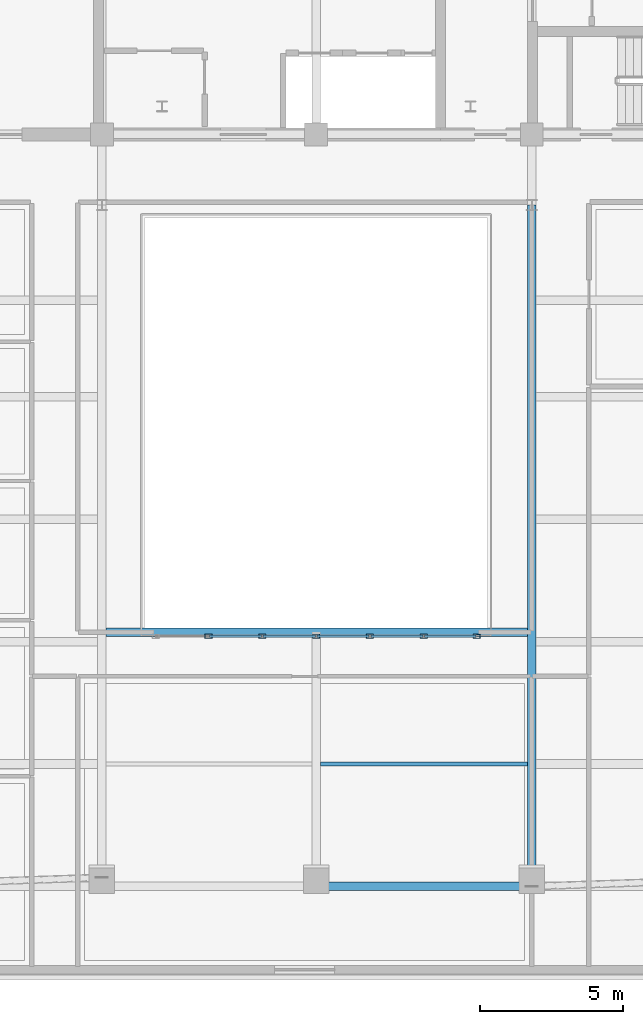
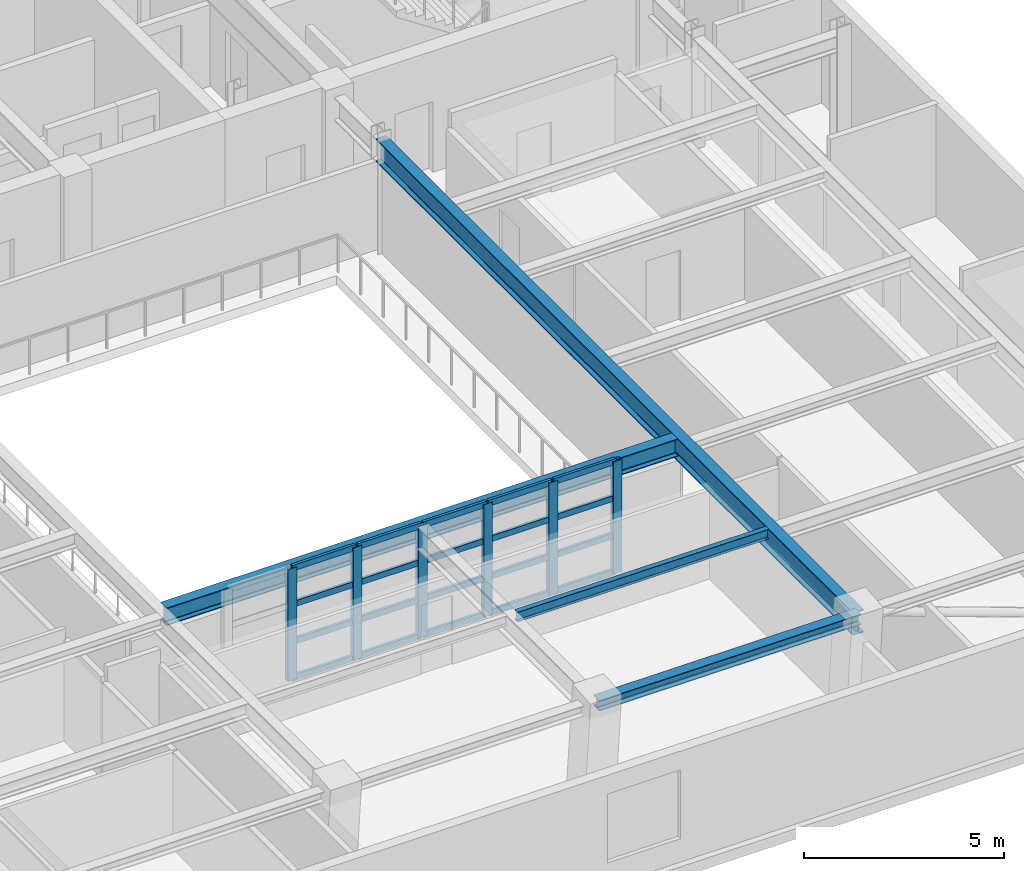
# One storey, part 3 of 12: 26 members, 4 beams, 1 element without a shape of its own.
"""IFC4 building model written with IfcOpenShell, lengths in metres."""

from ifc_helpers import new_model, si_unit, direction, frame, origin, origin_2d, place, context, subcontext, project, spatial, hollow_rectangle, i_section, extrude, material, layer, layer_set, material_profile, profile_set, type_object, element, aggregate, save


model = new_model("IFC4")

# Units and contexts
model_context = context("Model", 3, precision=1e-05, world=origin(), true_north=direction((0.0, 1.0)))
body_context = subcontext(model_context, "Body", "Model", "MODEL_VIEW")
ifc_project = project(units=[si_unit("LENGTHUNIT", "METRE"), si_unit("AREAUNIT", "SQUARE_METRE"), si_unit("VOLUMEUNIT", "CUBIC_METRE"), si_unit("PLANEANGLEUNIT", "RADIAN"), si_unit("MASSUNIT", "GRAM", prefix="KILO")], contexts=[model_context])

# Site, building, storey
site_placement = place(None, origin())
site = spatial("IfcSite", under=ifc_project, at=site_placement, CompositionType="ELEMENT")
building_placement = place(site_placement, origin())
building = spatial("IfcBuilding", under=site, at=building_placement, Name="Zarnavel Station Tower", CompositionType="ELEMENT")
storey_placement = place(building_placement, frame((0.0, 0.0, 269.5)))
storey = spatial("IfcBuildingStorey", under=building, at=storey_placement, Name="L73", CompositionType="ELEMENT", Elevation=269.5)

# Curtain wall, members
ifc_material_1 = material(Name="Aluminium Dark Anodised and Solar-Control Glass", Category="aluminium")
ifc_layer = layer(ifc_material_1, 0.179931640625)
ifc_layer_set = layer_set([ifc_layer], Name="CWS6")
curtain_wall_type = type_object("IfcCurtainWallType", Name="CWS6", PredefinedType="NOTDEFINED", material=ifc_layer_set)
curtain_wall_placement = place(storey_placement, origin())
curtain_wall = element("IfcCurtainWall", 1, at=curtain_wall_placement, inside=storey, type_object=curtain_wall_type, Name="L73 Curtain Wall CWS6-L73-AS", PredefinedType="NOTDEFINED")
ifc_material_2 = material(Name="Steel S355J2 (Black Fluoropolymer Coated)", Category="steel")
ifc_material_profile_1 = material_profile(ifc_material_2, hollow_rectangle(XDim=0.14990234375, YDim=0.25, WallThickness=0.010009765625, at=origin_2d()), Name="RHS250x150x10")
ifc_profile_set_1 = profile_set([ifc_material_profile_1], Name="Steel S355J2 (Black Fluoropolymer Coated)")
member_type_1 = type_object("IfcMemberType", Name="CWS6_MUL", PredefinedType="MULLION", material=ifc_profile_set_1)
member_1_placement = place(storey_placement, frame((25.033447265625, 10.25, 0.0), z_axis=(0.0, 0.0, 1.0), x_axis=(0.0, 1.0, 0.0)))
member_1 = element("IfcMember", 2, at=member_1_placement, type_object=member_type_1, Name="CW6 mullion 2", PredefinedType="MULLION", context=body_context, shape_type="SweptSolid", body=[
    extrude(hollow_rectangle(XDim=0.14990234375, YDim=0.25, WallThickness=0.010009765625, at=origin_2d()), origin(), (0.0, 0.0, 1.0), 3.419921875),
])
member_2_placement = place(storey_placement, frame((26.916748046875, 10.25, 0.0), z_axis=(0.0, 0.0, 1.0), x_axis=(0.0, 1.0, 0.0)))
member_2 = element("IfcMember", 3, at=member_2_placement, type_object=member_type_1, Name="CW6 mullion 3", PredefinedType="MULLION", context=body_context, shape_type="SweptSolid", body=[
    extrude(hollow_rectangle(XDim=0.14990234375, YDim=0.25, WallThickness=0.010009765625, at=origin_2d()), origin(), (0.0, 0.0, 1.0), 3.419921875),
])
member_3_placement = place(storey_placement, frame((28.800048828125, 10.25, 0.0), z_axis=(0.0, 0.0, 1.0), x_axis=(0.0, 1.0, 0.0)))
member_3 = element("IfcMember", 4, at=member_3_placement, type_object=member_type_1, Name="CW6 mullion 4", PredefinedType="MULLION", context=body_context, shape_type="SweptSolid", body=[
    extrude(hollow_rectangle(XDim=0.14990234375, YDim=0.25, WallThickness=0.010009765625, at=origin_2d()), origin(), (0.0, 0.0, 1.0), 3.419921875),
])
member_4_placement = place(storey_placement, frame((30.683349609375, 10.25, 0.0), z_axis=(0.0, 0.0, 1.0), x_axis=(0.0, 1.0, 0.0)))
member_4 = element("IfcMember", 5, at=member_4_placement, type_object=member_type_1, Name="CW6 mullion 5", PredefinedType="MULLION", context=body_context, shape_type="SweptSolid", body=[
    extrude(hollow_rectangle(XDim=0.14990234375, YDim=0.25, WallThickness=0.010009765625, at=origin_2d()), origin(), (0.0, 0.0, 1.0), 3.419921875),
])
member_5_placement = place(storey_placement, frame((32.566650390625, 10.25, 0.0), z_axis=(0.0, 0.0, 1.0), x_axis=(0.0, 1.0, 0.0)))
member_5 = element("IfcMember", 6, at=member_5_placement, type_object=member_type_1, Name="CW6 mullion 6", PredefinedType="MULLION", context=body_context, shape_type="SweptSolid", body=[
    extrude(hollow_rectangle(XDim=0.14990234375, YDim=0.25, WallThickness=0.010009765625, at=origin_2d()), origin(), (0.0, 0.0, 1.0), 3.419921875),
])
member_6_placement = place(storey_placement, frame((34.419921875, 10.25, 0.0), z_axis=(0.0, 0.0, 1.0), x_axis=(0.0, 1.0, 0.0)))
member_6 = element("IfcMember", 7, at=member_6_placement, type_object=member_type_1, Name="CW6 mullion 7", PredefinedType="MULLION", context=body_context, shape_type="SweptSolid", body=[
    extrude(hollow_rectangle(XDim=0.14990234375, YDim=0.25, WallThickness=0.010009765625, at=origin_2d()), origin(), (0.0, 0.0, 1.0), 3.419921875),
])
ifc_material_3 = material(Name="Steel S355J2 (Black Fluoropolymer Coated)", Category="steel")
ifc_material_profile_2 = material_profile(ifc_material_3, hollow_rectangle(XDim=0.080078125, YDim=0.179931640625, WallThickness=0.00634765625, at=origin_2d()), Name="RHS180x80x6.3")
ifc_profile_set_2 = profile_set([ifc_material_profile_2], Name="Steel S355J2 (Black Fluoropolymer Coated)")
member_type_2 = type_object("IfcMemberType", Name="CWS6_TRN", PredefinedType="USERDEFINED", material=ifc_profile_set_2)
member_7_placement = place(storey_placement, frame((25.063232421875, 10.25, 0.030029296875), z_axis=(1.0, 0.0, 0.0), x_axis=(0.0, 1.0, 0.0)))
member_7 = element("IfcMember", 8, at=member_7_placement, type_object=member_type_2, Name="CW6 transom 2.1", ObjectType="TRANSOM", PredefinedType="USERDEFINED", context=body_context, shape_type="SweptSolid", body=[
    extrude(hollow_rectangle(XDim=0.080078125, YDim=0.179931640625, WallThickness=0.00634765625, at=origin_2d()), origin(), (0.0, 0.0, 1.0), 1.823486328125),
])
member_8_placement = place(storey_placement, frame((25.063232421875, 10.25, 1.139892578125), z_axis=(1.0, 0.0, 0.0), x_axis=(0.0, 1.0, 0.0)))
member_8 = element("IfcMember", 9, at=member_8_placement, type_object=member_type_2, Name="CW6 transom 2.2", ObjectType="TRANSOM", PredefinedType="USERDEFINED", context=body_context, shape_type="SweptSolid", body=[
    extrude(hollow_rectangle(XDim=0.080078125, YDim=0.179931640625, WallThickness=0.00634765625, at=origin_2d()), origin(), (0.0, 0.0, 1.0), 1.823486328125),
])
member_9_placement = place(storey_placement, frame((25.063232421875, 10.25, 2.280029296875), z_axis=(1.0, 0.0, 0.0), x_axis=(0.0, 1.0, 0.0)))
member_9 = element("IfcMember", 10, at=member_9_placement, type_object=member_type_2, Name="CW6 transom 2.3", ObjectType="TRANSOM", PredefinedType="USERDEFINED", context=body_context, shape_type="SweptSolid", body=[
    extrude(hollow_rectangle(XDim=0.080078125, YDim=0.179931640625, WallThickness=0.00634765625, at=origin_2d()), origin(), (0.0, 0.0, 1.0), 1.823486328125),
])
member_10_placement = place(storey_placement, frame((25.063232421875, 10.25, 3.389892578125), z_axis=(1.0, 0.0, 0.0), x_axis=(0.0, 1.0, 0.0)))
member_10 = element("IfcMember", 11, at=member_10_placement, type_object=member_type_2, Name="CW6 transom 2.4", ObjectType="TRANSOM", PredefinedType="USERDEFINED", context=body_context, shape_type="SweptSolid", body=[
    extrude(hollow_rectangle(XDim=0.080078125, YDim=0.179931640625, WallThickness=0.00634765625, at=origin_2d()), origin(), (0.0, 0.0, 1.0), 1.823486328125),
])
member_11_placement = place(storey_placement, frame((26.94677734375, 10.25, 0.030029296875), z_axis=(1.0, 0.0, 0.0), x_axis=(0.0, 1.0, 0.0)))
member_11 = element("IfcMember", 12, at=member_11_placement, type_object=member_type_2, Name="CW6 transom 3.1", ObjectType="TRANSOM", PredefinedType="USERDEFINED", context=body_context, shape_type="SweptSolid", body=[
    extrude(hollow_rectangle(XDim=0.080078125, YDim=0.179931640625, WallThickness=0.00634765625, at=origin_2d()), origin(), (0.0, 0.0, 1.0), 1.8232421875),
])
member_12_placement = place(storey_placement, frame((26.94677734375, 10.25, 1.139892578125), z_axis=(1.0, 0.0, 0.0), x_axis=(0.0, 1.0, 0.0)))
member_12 = element("IfcMember", 13, at=member_12_placement, type_object=member_type_2, Name="CW6 transom 3.2", ObjectType="TRANSOM", PredefinedType="USERDEFINED", context=body_context, shape_type="SweptSolid", body=[
    extrude(hollow_rectangle(XDim=0.080078125, YDim=0.179931640625, WallThickness=0.00634765625, at=origin_2d()), origin(), (0.0, 0.0, 1.0), 1.8232421875),
])
member_13_placement = place(storey_placement, frame((26.94677734375, 10.25, 2.280029296875), z_axis=(1.0, 0.0, 0.0), x_axis=(0.0, 1.0, 0.0)))
member_13 = element("IfcMember", 14, at=member_13_placement, type_object=member_type_2, Name="CW6 transom 3.3", ObjectType="TRANSOM", PredefinedType="USERDEFINED", context=body_context, shape_type="SweptSolid", body=[
    extrude(hollow_rectangle(XDim=0.080078125, YDim=0.179931640625, WallThickness=0.00634765625, at=origin_2d()), origin(), (0.0, 0.0, 1.0), 1.8232421875),
])
member_14_placement = place(storey_placement, frame((26.94677734375, 10.25, 3.389892578125), z_axis=(1.0, 0.0, 0.0), x_axis=(0.0, 1.0, 0.0)))
member_14 = element("IfcMember", 15, at=member_14_placement, type_object=member_type_2, Name="CW6 transom 3.4", ObjectType="TRANSOM", PredefinedType="USERDEFINED", context=body_context, shape_type="SweptSolid", body=[
    extrude(hollow_rectangle(XDim=0.080078125, YDim=0.179931640625, WallThickness=0.00634765625, at=origin_2d()), origin(), (0.0, 0.0, 1.0), 1.8232421875),
])
member_15_placement = place(storey_placement, frame((28.830078125, 10.25, 0.030029296875), z_axis=(1.0, 0.0, 0.0), x_axis=(0.0, 1.0, 0.0)))
member_15 = element("IfcMember", 16, at=member_15_placement, type_object=member_type_2, Name="CW6 transom 4.1", ObjectType="TRANSOM", PredefinedType="USERDEFINED", context=body_context, shape_type="SweptSolid", body=[
    extrude(hollow_rectangle(XDim=0.080078125, YDim=0.179931640625, WallThickness=0.00634765625, at=origin_2d()), origin(), (0.0, 0.0, 1.0), 1.8232421875),
])
member_16_placement = place(storey_placement, frame((28.830078125, 10.25, 1.139892578125), z_axis=(1.0, 0.0, 0.0), x_axis=(0.0, 1.0, 0.0)))
member_16 = element("IfcMember", 17, at=member_16_placement, type_object=member_type_2, Name="CW6 transom 4.2", ObjectType="TRANSOM", PredefinedType="USERDEFINED", context=body_context, shape_type="SweptSolid", body=[
    extrude(hollow_rectangle(XDim=0.080078125, YDim=0.179931640625, WallThickness=0.00634765625, at=origin_2d()), origin(), (0.0, 0.0, 1.0), 1.8232421875),
])
member_17_placement = place(storey_placement, frame((28.830078125, 10.25, 2.280029296875), z_axis=(1.0, 0.0, 0.0), x_axis=(0.0, 1.0, 0.0)))
member_17 = element("IfcMember", 18, at=member_17_placement, type_object=member_type_2, Name="CW6 transom 4.3", ObjectType="TRANSOM", PredefinedType="USERDEFINED", context=body_context, shape_type="SweptSolid", body=[
    extrude(hollow_rectangle(XDim=0.080078125, YDim=0.179931640625, WallThickness=0.00634765625, at=origin_2d()), origin(), (0.0, 0.0, 1.0), 1.8232421875),
])
member_18_placement = place(storey_placement, frame((28.830078125, 10.25, 3.389892578125), z_axis=(1.0, 0.0, 0.0), x_axis=(0.0, 1.0, 0.0)))
member_18 = element("IfcMember", 19, at=member_18_placement, type_object=member_type_2, Name="CW6 transom 4.4", ObjectType="TRANSOM", PredefinedType="USERDEFINED", context=body_context, shape_type="SweptSolid", body=[
    extrude(hollow_rectangle(XDim=0.080078125, YDim=0.179931640625, WallThickness=0.00634765625, at=origin_2d()), origin(), (0.0, 0.0, 1.0), 1.8232421875),
])
member_19_placement = place(storey_placement, frame((30.71337890625, 10.25, 0.030029296875), z_axis=(1.0, 0.0, 0.0), x_axis=(0.0, 1.0, 0.0)))
member_19 = element("IfcMember", 20, at=member_19_placement, type_object=member_type_2, Name="CW6 transom 5.1", ObjectType="TRANSOM", PredefinedType="USERDEFINED", context=body_context, shape_type="SweptSolid", body=[
    extrude(hollow_rectangle(XDim=0.080078125, YDim=0.179931640625, WallThickness=0.00634765625, at=origin_2d()), origin(), (0.0, 0.0, 1.0), 1.8232421875),
])
member_20_placement = place(storey_placement, frame((30.71337890625, 10.25, 1.139892578125), z_axis=(1.0, 0.0, 0.0), x_axis=(0.0, 1.0, 0.0)))
member_20 = element("IfcMember", 21, at=member_20_placement, type_object=member_type_2, Name="CW6 transom 5.2", ObjectType="TRANSOM", PredefinedType="USERDEFINED", context=body_context, shape_type="SweptSolid", body=[
    extrude(hollow_rectangle(XDim=0.080078125, YDim=0.179931640625, WallThickness=0.00634765625, at=origin_2d()), origin(), (0.0, 0.0, 1.0), 1.8232421875),
])
member_21_placement = place(storey_placement, frame((30.71337890625, 10.25, 2.280029296875), z_axis=(1.0, 0.0, 0.0), x_axis=(0.0, 1.0, 0.0)))
member_21 = element("IfcMember", 22, at=member_21_placement, type_object=member_type_2, Name="CW6 transom 5.3", ObjectType="TRANSOM", PredefinedType="USERDEFINED", context=body_context, shape_type="SweptSolid", body=[
    extrude(hollow_rectangle(XDim=0.080078125, YDim=0.179931640625, WallThickness=0.00634765625, at=origin_2d()), origin(), (0.0, 0.0, 1.0), 1.8232421875),
])
member_22_placement = place(storey_placement, frame((30.71337890625, 10.25, 3.389892578125), z_axis=(1.0, 0.0, 0.0), x_axis=(0.0, 1.0, 0.0)))
member_22 = element("IfcMember", 23, at=member_22_placement, type_object=member_type_2, Name="CW6 transom 5.4", ObjectType="TRANSOM", PredefinedType="USERDEFINED", context=body_context, shape_type="SweptSolid", body=[
    extrude(hollow_rectangle(XDim=0.080078125, YDim=0.179931640625, WallThickness=0.00634765625, at=origin_2d()), origin(), (0.0, 0.0, 1.0), 1.8232421875),
])
member_23_placement = place(storey_placement, frame((32.5966796875, 10.25, 0.030029296875), z_axis=(1.0, 0.0, 0.0), x_axis=(0.0, 1.0, 0.0)))
member_23 = element("IfcMember", 24, at=member_23_placement, type_object=member_type_2, Name="CW6 transom 6.1", ObjectType="TRANSOM", PredefinedType="USERDEFINED", context=body_context, shape_type="SweptSolid", body=[
    extrude(hollow_rectangle(XDim=0.080078125, YDim=0.179931640625, WallThickness=0.00634765625, at=origin_2d()), origin(), (0.0, 0.0, 1.0), 1.793212890625),
])
member_24_placement = place(storey_placement, frame((32.5966796875, 10.25, 1.139892578125), z_axis=(1.0, 0.0, 0.0), x_axis=(0.0, 1.0, 0.0)))
member_24 = element("IfcMember", 25, at=member_24_placement, type_object=member_type_2, Name="CW6 transom 6.2", ObjectType="TRANSOM", PredefinedType="USERDEFINED", context=body_context, shape_type="SweptSolid", body=[
    extrude(hollow_rectangle(XDim=0.080078125, YDim=0.179931640625, WallThickness=0.00634765625, at=origin_2d()), origin(), (0.0, 0.0, 1.0), 1.793212890625),
])
member_25_placement = place(storey_placement, frame((32.5966796875, 10.25, 2.280029296875), z_axis=(1.0, 0.0, 0.0), x_axis=(0.0, 1.0, 0.0)))
member_25 = element("IfcMember", 26, at=member_25_placement, type_object=member_type_2, Name="CW6 transom 6.3", ObjectType="TRANSOM", PredefinedType="USERDEFINED", context=body_context, shape_type="SweptSolid", body=[
    extrude(hollow_rectangle(XDim=0.080078125, YDim=0.179931640625, WallThickness=0.00634765625, at=origin_2d()), origin(), (0.0, 0.0, 1.0), 1.793212890625),
])
member_26_placement = place(storey_placement, frame((32.5966796875, 10.25, 3.389892578125), z_axis=(1.0, 0.0, 0.0), x_axis=(0.0, 1.0, 0.0)))
member_26 = element("IfcMember", 27, at=member_26_placement, type_object=member_type_2, Name="CW6 transom 6.4", ObjectType="TRANSOM", PredefinedType="USERDEFINED", context=body_context, shape_type="SweptSolid", body=[
    extrude(hollow_rectangle(XDim=0.080078125, YDim=0.179931640625, WallThickness=0.00634765625, at=origin_2d()), origin(), (0.0, 0.0, 1.0), 1.793212890625),
])
aggregate(curtain_wall, [member_1, member_2, member_3, member_4, member_5, member_6, member_7, member_8, member_9, member_10, member_11, member_12, member_13, member_14, member_15, member_16, member_17, member_18, member_19, member_20, member_21, member_22, member_23, member_24, member_25, member_26])

# Beams
ifc_material_4 = material(Name="Steel S355J2", Category="steel")
ifc_material_profile_3 = material_profile(ifc_material_4, i_section(OverallWidth=0.300048828125, OverallDepth=0.320068359375, WebThickness=0.011474609375, FlangeThickness=0.0205078125, FilletRadius=0.027099609375, at=origin_2d()), Name="HEB320")
ifc_profile_set_3 = profile_set([ifc_material_profile_3], Name="Steel S355J2")
beam_type_1 = type_object("IfcBeamType", Name="EB_HEB320", PredefinedType="SPANDREL", material=ifc_profile_set_3)
beam_1_placement = place(storey_placement, frame((28.800048828125, 1.49609375, 3.260009765625), z_axis=(1.0, 0.0, 0.0), x_axis=(0.0, 1.0, 0.0)))
element("IfcBeam", 28, at=beam_1_placement, inside=storey, type_object=beam_type_1, Name="L73 South Raked Spandrel 3", PredefinedType="SPANDREL", context=body_context, shape_type="SweptSolid", body=[
    extrude(i_section(OverallWidth=0.300048828125, OverallDepth=0.320068359375, WebThickness=0.011474609375, FlangeThickness=0.0205078125, FilletRadius=0.027099609375, at=origin_2d()), origin(), (0.0, 0.0, 1.0), 7.550048828125),
])
ifc_material_5 = material(Name="Steel S355J2", Category="steel")
ifc_material_profile_4 = material_profile(ifc_material_5, i_section(OverallWidth=0.300048828125, OverallDepth=0.5400390625, WebThickness=0.012451171875, FlangeThickness=0.02392578125, FilletRadius=0.027099609375, at=origin_2d()), Name="HEA550")
ifc_profile_set_4 = profile_set([ifc_material_profile_4], Name="Steel S355J2")
beam_type_2 = type_object("IfcBeamType", Name="FB_HEA550", PredefinedType="BEAM", material=ifc_profile_set_4)
beam_2_placement = place(storey_placement, frame((21.445068359375, 10.39990234375, 3.14990234375), z_axis=(1.0, 0.0, 0.0), x_axis=(0.0, 1.0, 0.0)))
element("IfcBeam", 29, at=beam_2_placement, inside=storey, type_object=beam_type_2, Name="L73 Atrium South Edge Girder", PredefinedType="BEAM", context=body_context, shape_type="SweptSolid", body=[
    extrude(i_section(OverallWidth=0.300048828125, OverallDepth=0.5400390625, WebThickness=0.012451171875, FlangeThickness=0.02392578125, FilletRadius=0.027099609375, at=origin_2d()), origin(), (0.0, 0.0, 1.0), 14.760009765625),
])
ifc_material_6 = material(Name="Steel S355J2", Category="steel")
ifc_material_profile_5 = material_profile(ifc_material_6, i_section(OverallWidth=0.300048828125, OverallDepth=0.699951171875, WebThickness=0.01708984375, FlangeThickness=0.031982421875, FilletRadius=0.027099609375, at=origin_2d()), Name="HEB700")
ifc_profile_set_5 = profile_set([ifc_material_profile_5], Name="Steel S355J2")
beam_type_3 = type_object("IfcBeamType", Name="FG_HEB700", PredefinedType="USERDEFINED", material=ifc_profile_set_5)
beam_3_placement = place(storey_placement, frame((36.35009765625, 1.49609375, 3.070068359375), z_axis=(0.0, 1.0, 0.0), x_axis=(-1.0, 0.0, 0.0)))
element("IfcBeam", 30, at=beam_3_placement, inside=storey, type_object=beam_type_3, Name="L73 South-Zone NS Girder 4", ObjectType="GIRDER", PredefinedType="USERDEFINED", context=body_context, shape_type="SweptSolid", body=[
    extrude(i_section(OverallWidth=0.300048828125, OverallDepth=0.699951171875, WebThickness=0.01708984375, FlangeThickness=0.031982421875, FilletRadius=0.027099609375, at=origin_2d()), origin(), (0.0, 0.0, 1.0), 23.85400390625),
])
ifc_material_7 = material(Name="Steel S355J2", Category="steel")
ifc_material_profile_6 = material_profile(ifc_material_7, i_section(OverallWidth=0.14990234375, OverallDepth=0.300048828125, WebThickness=0.007080078125, FlangeThickness=0.0107421875, FilletRadius=0.014892578125, at=origin_2d()), Name="IPE300")
ifc_profile_set_6 = profile_set([ifc_material_profile_6], Name="Steel S355J2")
beam_type_4 = type_object("IfcBeamType", Name="FJ_IPE300", PredefinedType="JOIST", material=ifc_profile_set_6)
beam_4_placement = place(storey_placement, frame((28.945068359375, 5.780029296875, 3.27001953125), z_axis=(1.0, 0.0, 0.0), x_axis=(0.0, 1.0, 0.0)))
element("IfcBeam", 31, at=beam_4_placement, inside=storey, type_object=beam_type_4, Name="L73 Mid-East Joist 1", PredefinedType="JOIST", context=body_context, shape_type="SweptSolid", body=[
    extrude(i_section(OverallWidth=0.14990234375, OverallDepth=0.300048828125, WebThickness=0.007080078125, FlangeThickness=0.0107421875, FilletRadius=0.014892578125, at=origin_2d()), origin(), (0.0, 0.0, 1.0), 7.260009765625),
])

save(model, "model.ifc")
